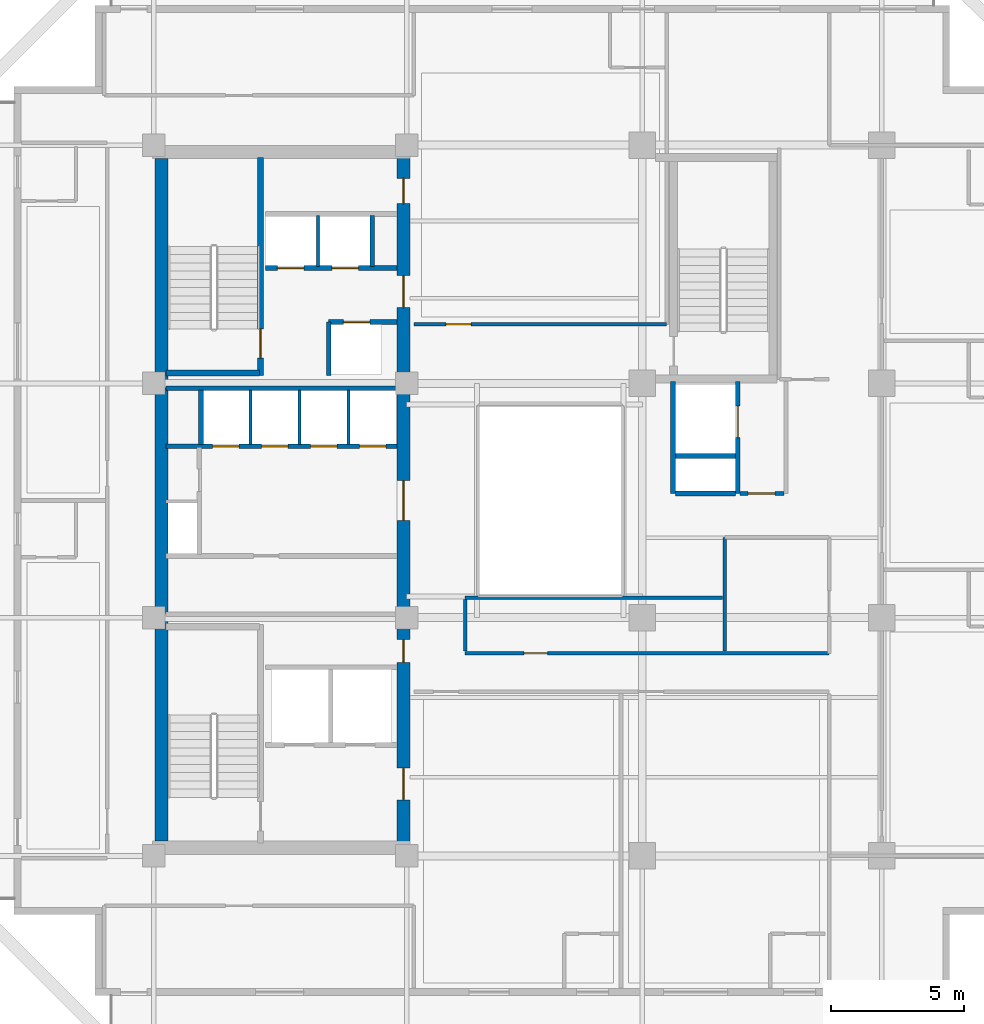
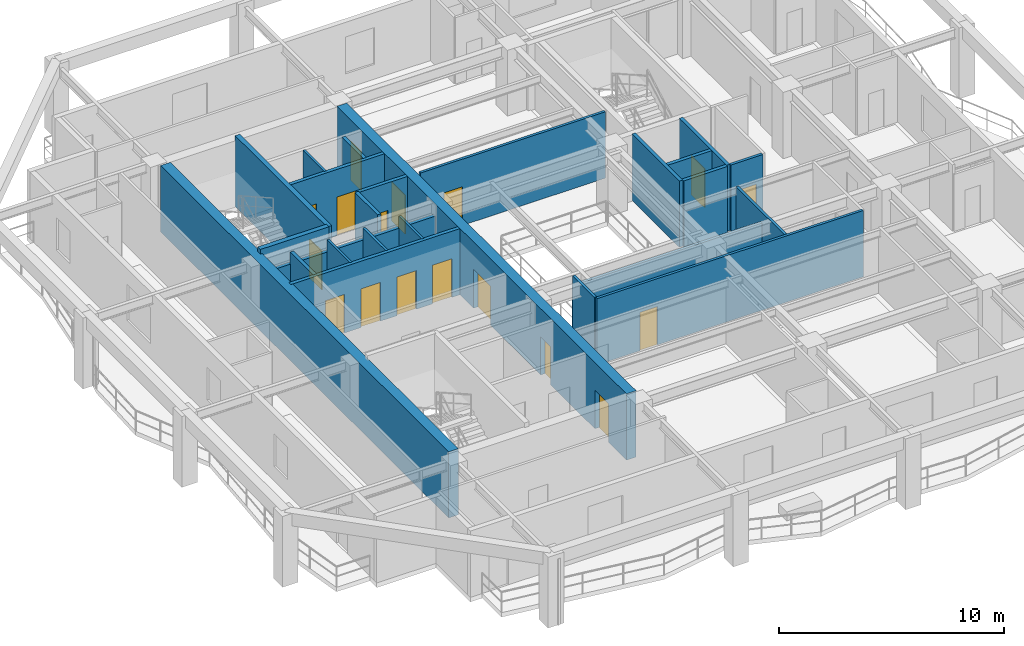
# One storey, part 4 of 10: 25 walls, 17 doors, 17 openings.
"""IFC4 building model written with IfcOpenShell, lengths in metres."""

from ifc_helpers import new_model, si_unit, direction, frame, frame_2d, origin, place, context, subcontext, project, spatial, rectangle, extrude, material, layer, layer_set, type_object, element, fill, save


model = new_model("IFC4")

# Units and contexts
model_context = context("Model", 3, precision=1e-05, world=origin(), true_north=direction((0.0, 1.0)))
body_context = subcontext(model_context, "Body", "Model", "MODEL_VIEW")
ifc_project = project(units=[si_unit("LENGTHUNIT", "METRE"), si_unit("AREAUNIT", "SQUARE_METRE"), si_unit("VOLUMEUNIT", "CUBIC_METRE"), si_unit("PLANEANGLEUNIT", "RADIAN"), si_unit("MASSUNIT", "GRAM", prefix="KILO")], contexts=[model_context])

# Site, building, storey
site_placement = place(None, origin())
site = spatial("IfcSite", under=ifc_project, at=site_placement, CompositionType="ELEMENT")
building_placement = place(site_placement, origin())
building = spatial("IfcBuilding", under=site, at=building_placement, Name="Kundavana Baori Tower", CompositionType="ELEMENT")
storey_placement = place(building_placement, frame((0.0, 0.0, 115.550048828125)))
storey = spatial("IfcBuildingStorey", under=building, at=storey_placement, Name="L27", CompositionType="ELEMENT", Elevation=115.550048828125)

# Wall, opening, door
ifc_material_1 = material(Name="Concrete C50/60", Category="concrete")
ifc_layer_1 = layer(ifc_material_1, 0.39990234375, Name="WL-CORE-400")
ifc_layer_set_1 = layer_set([ifc_layer_1], Name="Concrete C50/60")
wall_type_1 = type_object("IfcWallType", Name="WL-CORE-400", PredefinedType="SHEAR", material=ifc_layer_set_1)
wall_1_placement = place(storey_placement, frame((19.4599609375, 33.300048828125, 0.0), z_axis=(0.0, 0.0, 1.0), x_axis=(0.0, 1.0, 0.0)))
wall_1 = element("IfcWall", 1, at=wall_1_placement, inside=storey, type_object=wall_type_1, Name="WL-L27-ST2-E", PredefinedType="SHEAR", context=body_context, shape_type="SweptSolid", body=[
    extrude(rectangle(XDim=8.179931640625, YDim=0.239990234375, at=frame_2d((4.08984375, 0.0))), origin(), (0.0, 0.0, 1.0), 3.849853515625),
])
opening_1_placement = place(wall_1_placement, frame((0.64990234375, 0.0, 0.0)))
opening_1 = element("IfcOpeningElement", 2, at=opening_1_placement, cuts=wall_1, Name="Opening FD-110", PredefinedType="OPENING", context=body_context, shape_type="SweptSolid", body=[
    extrude(rectangle(XDim=1.10009765625, YDim=2.10009765625, at=frame_2d((0.550048828125, 1.050048828125))), frame((0.0, 0.1298828125, 0.0), z_axis=(0.0, -1.0, 0.0), x_axis=(1.0, 0.0, 0.0)), (0.0, 0.0, 1.0), 0.260009765625),
])
ifc_material_2 = material(Name="Galvanised Steel Fire-Rated Door Leaf", Category="steel")
door_type_1 = type_object("IfcDoorType", Name="DR-FD120-1100", OperationType="NOTDEFINED", PredefinedType="DOOR", material=ifc_material_2)
door_1_placement = place(opening_1_placement, origin())
door_1 = element("IfcDoor", 3, at=door_1_placement, inside=storey, type_object=door_type_1, Name="DR-L27-ST2", OperationType="SINGLE_SWING_RIGHT", OverallHeight=2.10009765625, OverallWidth=1.10009765625, PredefinedType="DOOR", context=body_context, shape_type="SweptSolid", body=[
    extrude(rectangle(XDim=1.10009765625, YDim=2.10009765625, at=frame_2d((0.550048828125, 1.050048828125))), frame((0.0, 0.02490234375, 0.0), z_axis=(0.0, -1.0, 0.0), x_axis=(1.0, 0.0, 0.0)), (0.0, 0.0, 1.0), 0.050048828125),
])
fill(opening_1, door_1)

# Walls
wall_2_placement = place(storey_placement, frame((15.89990234375, 33.389892578125, 0.0), z_axis=(0.0, 0.0, 1.0), x_axis=(1.0, 0.0, 0.0)))
element("IfcWall", 4, at=wall_2_placement, inside=storey, type_object=wall_type_1, Name="WL-L27-ST2-S", PredefinedType="SHEAR", context=body_context, shape_type="SweptSolid", body=[
    extrude(rectangle(XDim=3.52001953125, YDim=0.239990234375, at=frame_2d((1.760009765625, 0.0))), origin(), (0.0, 0.0, 1.0), 3.849853515625),
])
ifc_material_3 = material(Name="Concrete C50/60", Category="concrete")
ifc_layer_2 = layer(ifc_material_3, 0.5, Name="WL-CORE-500")
ifc_layer_set_2 = layer_set([ifc_layer_2], Name="Concrete C50/60")
wall_type_2 = type_object("IfcWallType", Name="WL-CORE-500", PredefinedType="SHEAR", material=ifc_layer_set_2)
wall_3_placement = place(storey_placement, frame((15.739990234375, 15.81005859375, 0.0), z_axis=(0.0, 0.0, 1.0), x_axis=(0.0, 1.0, 0.0)))
element("IfcWall", 5, at=wall_3_placement, inside=storey, type_object=wall_type_2, Name="L27 Offset Core West Shear Wall", PredefinedType="SHEAR", context=body_context, shape_type="SweptSolid", body=[
    extrude(rectangle(XDim=25.6298828125, YDim=0.5, at=frame_2d((12.81494140625, 0.0))), origin(), (0.0, 0.0, 1.0), 3.599853515625),
])

# Wall, openings, doors
wall_4_placement = place(storey_placement, frame((24.830078125, 15.739990234375, 0.0), z_axis=(0.0, 0.0, 1.0), x_axis=(0.0, 1.0, 0.0)))
wall_4 = element("IfcWall", 6, at=wall_4_placement, inside=storey, type_object=wall_type_2, Name="L27 Offset Core East Shear Wall", PredefinedType="SHEAR", context=body_context, shape_type="SweptSolid", body=[
    extrude(rectangle(XDim=25.760009765625, YDim=0.5, at=frame_2d((12.8798828125, 0.0))), origin(), (0.0, 0.0, 1.0), 3.599853515625),
])
opening_2_placement = place(wall_4_placement, frame((1.610107421875, 0.0, 0.0)))
opening_2 = element("IfcOpeningElement", 7, at=opening_2_placement, cuts=wall_4, Name="Opening FD-120", PredefinedType="OPENING", context=body_context, shape_type="SweptSolid", body=[
    extrude(rectangle(XDim=1.199951171875, YDim=2.10009765625, at=frame_2d((0.60009765625, 1.050048828125))), frame((0.0, 0.260009765625, 0.0), z_axis=(0.0, -1.0, 0.0), x_axis=(1.0, 0.0, 0.0)), (0.0, 0.0, 1.0), 0.52001953125),
])
opening_3_placement = place(wall_4_placement, frame((6.780029296875, 0.0, 0.0)))
opening_3 = element("IfcOpeningElement", 8, at=opening_3_placement, cuts=wall_4, Name="Opening FD-085", PredefinedType="OPENING", context=body_context, shape_type="SweptSolid", body=[
    extrude(rectangle(XDim=0.85009765625, YDim=2.06005859375, at=frame_2d((0.425048828125, 1.030029296875))), frame((0.0, 0.260009765625, 0.0), z_axis=(0.0, -1.0, 0.0), x_axis=(1.0, 0.0, 0.0)), (0.0, 0.0, 1.0), 0.52001953125),
])
opening_4_placement = place(wall_4_placement, frame((12.110107421875, 0.0, 0.0)))
opening_4 = element("IfcOpeningElement", 9, at=opening_4_placement, cuts=wall_4, Name="Opening FD-150", PredefinedType="OPENING", context=body_context, shape_type="SweptSolid", body=[
    extrude(rectangle(XDim=1.5, YDim=2.1201171875, at=frame_2d((0.75, 1.06005859375))), frame((0.0, 0.260009765625, 0.0), z_axis=(0.0, -1.0, 0.0), x_axis=(1.0, 0.0, 0.0)), (0.0, 0.0, 1.0), 0.52001953125),
])
opening_5_placement = place(wall_4_placement, frame((20.110107421875, 0.0, 0.0)))
opening_5 = element("IfcOpeningElement", 10, at=opening_5_placement, cuts=wall_4, Name="Opening FD-122", PredefinedType="OPENING", context=body_context, shape_type="SweptSolid", body=[
    extrude(rectangle(XDim=1.199951171875, YDim=2.1201171875, at=frame_2d((0.60009765625, 1.06005859375))), frame((0.0, 0.260009765625, 0.0), z_axis=(0.0, -1.0, 0.0), x_axis=(1.0, 0.0, 0.0)), (0.0, 0.0, 1.0), 0.52001953125),
])
opening_6_placement = place(wall_4_placement, frame((24.010009765625, 0.0, 0.0)))
opening_6 = element("IfcOpeningElement", 11, at=opening_6_placement, cuts=wall_4, Name="Opening FD-095", PredefinedType="OPENING", context=body_context, shape_type="SweptSolid", body=[
    extrude(rectangle(XDim=0.949951171875, YDim=2.10009765625, at=frame_2d((0.47509765625, 1.050048828125))), frame((0.0, 0.260009765625, 0.0), z_axis=(0.0, -1.0, 0.0), x_axis=(1.0, 0.0, 0.0)), (0.0, 0.0, 1.0), 0.52001953125),
])
ifc_material_4 = material(Name="Galvanised Steel Fire-Rated Door Leaf", Category="steel")
door_type_2 = type_object("IfcDoorType", Name="DR-FD120-1200", OperationType="NOTDEFINED", PredefinedType="DOOR", material=ifc_material_4)
door_2_placement = place(opening_2_placement, frame((1.199951171875, 0.0, 0.0), z_axis=(0.0, 0.0, 1.0), x_axis=(-1.0, 0.0, 0.0)))
door_2 = element("IfcDoor", 12, at=door_2_placement, inside=storey, type_object=door_type_2, Name="DR-L27-FFLOB-E", OperationType="SINGLE_SWING_RIGHT", OverallHeight=2.10009765625, OverallWidth=1.199951171875, PredefinedType="DOOR", context=body_context, shape_type="SweptSolid", body=[
    extrude(rectangle(XDim=1.199951171875, YDim=2.10009765625, at=frame_2d((0.60009765625, 1.050048828125))), frame((0.0, 0.02490234375, 0.0), z_axis=(0.0, -1.0, 0.0), x_axis=(1.0, 0.0, 0.0)), (0.0, 0.0, 1.0), 0.050048828125),
])
fill(opening_2, door_2)
ifc_material_5 = material(Name="Galvanised Steel Fire-Rated Door Leaf", Category="steel")
door_type_3 = type_object("IfcDoorType", Name="DR-FD60-1200", OperationType="NOTDEFINED", PredefinedType="DOOR", material=ifc_material_5)
door_3_placement = place(opening_5_placement, frame((1.199951171875, 0.0, 0.0), z_axis=(0.0, 0.0, 1.0), x_axis=(-1.0, 0.0, 0.0)))
door_3 = element("IfcDoor", 13, at=door_3_placement, inside=storey, type_object=door_type_3, Name="DR-L27-HRLOB-E", OperationType="SINGLE_SWING_RIGHT", OverallHeight=2.1201171875, OverallWidth=1.199951171875, PredefinedType="DOOR", context=body_context, shape_type="SweptSolid", body=[
    extrude(rectangle(XDim=1.199951171875, YDim=2.1201171875, at=frame_2d((0.60009765625, 1.06005859375))), frame((0.0, 0.02490234375, 0.0), z_axis=(0.0, -1.0, 0.0), x_axis=(1.0, 0.0, 0.0)), (0.0, 0.0, 1.0), 0.050048828125),
])
fill(opening_5, door_3)
ifc_material_6 = material(Name="Galvanised Steel Fire-Rated Door Leaf", Category="steel")
door_type_4 = type_object("IfcDoorType", Name="DR-FD60-1500", OperationType="NOTDEFINED", PredefinedType="DOOR", material=ifc_material_6)
door_4_placement = place(opening_4_placement, frame((1.5, 0.0, 0.0), z_axis=(0.0, 0.0, 1.0), x_axis=(-1.0, 0.0, 0.0)))
door_4 = element("IfcDoor", 14, at=door_4_placement, inside=storey, type_object=door_type_4, Name="DR-L27-LIFTHALL-E", OperationType="SINGLE_SWING_LEFT", OverallHeight=2.1201171875, OverallWidth=1.5, PredefinedType="DOOR", context=body_context, shape_type="SweptSolid", body=[
    extrude(rectangle(XDim=1.5, YDim=2.1201171875, at=frame_2d((0.75, 1.06005859375))), frame((0.0, 0.02490234375, 0.0), z_axis=(0.0, -1.0, 0.0), x_axis=(1.0, 0.0, 0.0)), (0.0, 0.0, 1.0), 0.050048828125),
])
fill(opening_4, door_4)
ifc_material_7 = material(Name="Galvanised Steel Fire-Rated Door Leaf", Category="steel")
door_type_5 = type_object("IfcDoorType", Name="DR-FD60-850", OperationType="NOTDEFINED", PredefinedType="DOOR", material=ifc_material_7)
door_5_placement = place(opening_3_placement, frame((0.85009765625, 0.0, 0.0), z_axis=(0.0, 0.0, 1.0), x_axis=(-1.0, 0.0, 0.0)))
door_5 = element("IfcDoor", 15, at=door_5_placement, inside=storey, type_object=door_type_5, Name="DR-L27-CSMK1", OperationType="SINGLE_SWING_LEFT", OverallHeight=2.06005859375, OverallWidth=0.85009765625, PredefinedType="DOOR", context=body_context, shape_type="SweptSolid", body=[
    extrude(rectangle(XDim=0.85009765625, YDim=2.06005859375, at=frame_2d((0.425048828125, 1.030029296875))), frame((0.0, 0.02490234375, 0.0), z_axis=(0.0, -1.0, 0.0), x_axis=(1.0, 0.0, 0.0)), (0.0, 0.0, 1.0), 0.050048828125),
])
fill(opening_3, door_5)
ifc_material_8 = material(Name="Engineered Teak Fire-Rated Timber Door Leaf", Category="wood")
door_type_6 = type_object("IfcDoorType", Name="DR-FD60-950", OperationType="NOTDEFINED", PredefinedType="DOOR", material=ifc_material_8)
door_6_placement = place(opening_6_placement, frame((0.949951171875, 0.0, 0.0), z_axis=(0.0, 0.0, 1.0), x_axis=(-1.0, 0.0, 0.0)))
door_6 = element("IfcDoor", 16, at=door_6_placement, inside=storey, type_object=door_type_6, Name="DR-L27-CSRV1", OperationType="SINGLE_SWING_LEFT", OverallHeight=2.10009765625, OverallWidth=0.949951171875, PredefinedType="DOOR", context=body_context, shape_type="SweptSolid", body=[
    extrude(rectangle(XDim=0.949951171875, YDim=2.10009765625, at=frame_2d((0.47509765625, 1.050048828125))), frame((0.0, 0.02490234375, 0.0), z_axis=(0.0, -1.0, 0.0), x_axis=(1.0, 0.0, 0.0)), (0.0, 0.0, 1.0), 0.050048828125),
])
fill(opening_6, door_6)

# Walls
ifc_material_9 = material(Name="Acoustic Gypsum Plasterboard on Galvanised Steel Studs", Category="steel")
ifc_layer_3 = layer(ifc_material_9, 0.1201171875, Name="WL-PART-120")
ifc_layer_set_3 = layer_set([ifc_layer_3], Name="Acoustic Gypsum Plasterboard on Galvanised Steel Studs")
wall_type_3 = type_object("IfcWallType", Name="WL-PART-120", PredefinedType="PARTITIONING", material=ifc_layer_set_3)
for number, where, z_axis, x_axis, name in (
    (17, (19.080078125, 30.699951171875, 0.0), (0.0, 0.0, 1.0), (0.0, 1.0, 0.0), "WL-L27-LPMID-D1"),
    (18, (20.919921875, 30.699951171875, 0.0), (0.0, 0.0, 1.0), (0.0, 1.0, 0.0), "WL-L27-LPMID-D2"),
    (19, (22.760009765625, 30.699951171875, 0.0), (0.0, 0.0, 1.0), (0.0, 1.0, 0.0), "WL-L27-LPMID-D3"),
):
    element("IfcWall", number, at=place(storey_placement, frame(where, z_axis=z_axis, x_axis=x_axis)), inside=storey, type_object=wall_type_3, Name=name, PredefinedType="PARTITIONING", context=body_context, shape_type="SweptSolid", body=[
        extrude(rectangle(XDim=2.050048828125, YDim=0.1201171875, at=frame_2d((1.02490234375, 0.0))), origin(), (0.0, 0.0, 1.0), 3.599853515625),
    ])
wall_5_placement = place(storey_placement, frame((21.6201171875, 37.39990234375, 0.0), z_axis=(0.0, 0.0, 1.0), x_axis=(0.0, 1.0, 0.0)))
element("IfcWall", 20, at=wall_5_placement, inside=storey, type_object=wall_type_3, Name="WL-L27-HR-DIV1", PredefinedType="PARTITIONING", context=body_context, shape_type="SweptSolid", body=[
    extrude(rectangle(XDim=1.900146484375, YDim=0.1201171875, at=frame_2d((0.9501953125, 0.0))), origin(), (0.0, 0.0, 1.0), 3.599853515625),
])

# Wall, opening, door
ifc_material_10 = material(Name="Acoustic Gypsum Plasterboard on Galvanised Steel Studs", Category="steel")
ifc_layer_4 = layer(ifc_material_10, 0.135009765625, Name="WL-PART-135")
ifc_layer_set_4 = layer_set([ifc_layer_4], Name="Acoustic Gypsum Plasterboard on Galvanised Steel Studs")
wall_type_4 = type_object("IfcWallType", Name="WL-PART-135", PredefinedType="PARTITIONING", material=ifc_layer_set_4)
wall_6_placement = place(storey_placement, frame((27.14990234375, 22.860107421875, 0.0), z_axis=(0.0, 0.0, 1.0), x_axis=(1.0, 0.0, 0.0)))
wall_6 = element("IfcWall", 21, at=wall_6_placement, inside=storey, type_object=wall_type_4, Name="WL-L27-HST", PredefinedType="PARTITIONING", context=body_context, shape_type="SweptSolid", body=[
    extrude(rectangle(XDim=13.670166015625, YDim=0.135009765625, at=frame_2d((6.8349609375, 0.0))), origin(), (0.0, 0.0, 1.0), 3.599853515625),
])
opening_7_placement = place(wall_6_placement, frame((2.199951171875, 0.0, 0.0)))
opening_7 = element("IfcOpeningElement", 22, at=opening_7_placement, cuts=wall_6, Name="Opening ID-090", PredefinedType="OPENING", context=body_context, shape_type="SweptSolid", body=[
    extrude(rectangle(XDim=0.89990234375, YDim=2.080078125, at=frame_2d((0.449951171875, 1.0400390625))), frame((0.0, 0.07763671875, 0.0), z_axis=(0.0, -1.0, 0.0), x_axis=(1.0, 0.0, 0.0)), (0.0, 0.0, 1.0), 0.155029296875),
])
ifc_material_11 = material(Name="Engineered Teak Solid-Core Timber Veneer", Category="wood")
door_type_7 = type_object("IfcDoorType", Name="DR-INT-900", OperationType="NOTDEFINED", PredefinedType="DOOR", material=ifc_material_11)
door_7_placement = place(opening_7_placement, origin())
door_7 = element("IfcDoor", 23, at=door_7_placement, inside=storey, type_object=door_type_7, Name="DR-L27-HPNT", OperationType="SINGLE_SWING_LEFT", OverallHeight=2.080078125, OverallWidth=0.89990234375, PredefinedType="DOOR", context=body_context, shape_type="SweptSolid", body=[
    extrude(rectangle(XDim=0.89990234375, YDim=2.080078125, at=frame_2d((0.449951171875, 1.0400390625))), frame((0.0, 0.02490234375, 0.0), z_axis=(0.0, -1.0, 0.0), x_axis=(1.0, 0.0, 0.0)), (0.0, 0.0, 1.0), 0.050048828125),
])
fill(opening_7, door_7)

wall_7_placement = place(storey_placement, frame((25.219970703125, 35.219970703125, 0.0), z_axis=(0.0, 0.0, 1.0), x_axis=(1.0, 0.0, 0.0)))
wall_7 = element("IfcWall", 24, at=wall_7_placement, inside=storey, type_object=wall_type_4, Name="WL-L27-HN", PredefinedType="PARTITIONING", context=body_context, shape_type="SweptSolid", body=[
    extrude(rectangle(XDim=9.5, YDim=0.135009765625, at=frame_2d((4.75, 0.0))), origin(), (0.0, 0.0, 1.0), 3.599853515625),
])
opening_8_placement = place(wall_7_placement, frame((1.199951171875, 0.0, 0.0)))
opening_8 = element("IfcOpeningElement", 25, at=opening_8_placement, cuts=wall_7, Name="Opening FD-095", PredefinedType="OPENING", context=body_context, shape_type="SweptSolid", body=[
    extrude(rectangle(XDim=0.949951171875, YDim=2.10009765625, at=frame_2d((0.47509765625, 1.050048828125))), frame((0.0, 0.07763671875, 0.0), z_axis=(0.0, -1.0, 0.0), x_axis=(1.0, 0.0, 0.0)), (0.0, 0.0, 1.0), 0.155029296875),
])
door_8_placement = place(opening_8_placement, origin())
door_8 = element("IfcDoor", 26, at=door_8_placement, inside=storey, type_object=door_type_6, Name="DR-L27-HK-N1-ENT", OperationType="SINGLE_SWING_RIGHT", OverallHeight=2.10009765625, OverallWidth=0.949951171875, PredefinedType="DOOR", context=body_context, shape_type="SweptSolid", body=[
    extrude(rectangle(XDim=0.949951171875, YDim=2.10009765625, at=frame_2d((0.47509765625, 1.050048828125))), frame((0.0, 0.02490234375, 0.0), z_axis=(0.0, -1.0, 0.0), x_axis=(1.0, 0.0, 0.0)), (0.0, 0.0, 1.0), 0.050048828125),
])
fill(opening_8, door_8)

# Walls
wall_8_placement = place(storey_placement, frame((36.89990234375, 22.93994140625, 0.0), z_axis=(0.0, 0.0, 1.0), x_axis=(0.0, 1.0, 0.0)))
element("IfcWall", 27, at=wall_8_placement, inside=storey, type_object=wall_type_4, Name="WL-L27-HKD", PredefinedType="PARTITIONING", context=body_context, shape_type="SweptSolid", body=[
    extrude(rectangle(XDim=4.280029296875, YDim=0.135009765625, at=frame_2d((2.14013671875, 0.0))), origin(), (0.0, 0.0, 1.0), 3.599853515625),
])
wall_9_placement = place(storey_placement, frame((27.14990234375, 24.949951171875, 0.0), z_axis=(0.0, 0.0, 1.0), x_axis=(1.0, 0.0, 0.0)))
element("IfcWall", 28, at=wall_9_placement, inside=storey, type_object=wall_type_4, Name="WL-L27-HPN1", PredefinedType="PARTITIONING", context=body_context, shape_type="SweptSolid", body=[
    extrude(rectangle(XDim=9.670166015625, YDim=0.135009765625, at=frame_2d((4.8349609375, 0.0))), origin(), (0.0, 0.0, 1.0), 3.050048828125),
])
wall_10_placement = place(storey_placement, frame((27.14990234375, 22.93994140625, 0.0), z_axis=(0.0, 0.0, 1.0), x_axis=(0.0, 1.0, 0.0)))
element("IfcWall", 29, at=wall_10_placement, inside=storey, type_object=wall_type_4, Name="WL-L27-HPN2", PredefinedType="PARTITIONING", context=body_context, shape_type="SweptSolid", body=[
    extrude(rectangle(XDim=1.93994140625, YDim=0.135009765625, at=frame_2d((0.969970703125, 0.0))), origin(), (0.0, 0.0, 1.0), 3.599853515625),
])

# Wall, opening, door
ifc_material_12 = material(Name="Fire-Rated Gypsum Drywall on Galvanised Steel Studs", Category="steel")
ifc_layer_5 = layer(ifc_material_12, 0.14990234375, Name="WL-PART-150")
ifc_layer_set_5 = layer_set([ifc_layer_5], Name="Fire-Rated Gypsum Drywall on Galvanised Steel Studs")
wall_type_5 = type_object("IfcWallType", Name="WL-PART-150", PredefinedType="PARTITIONING", material=ifc_layer_set_5)
wall_11_placement = place(storey_placement, frame((37.47998046875, 28.860107421875, 0.0), z_axis=(0.0, 0.0, 1.0), x_axis=(1.0, 0.0, 0.0)))
wall_11 = element("IfcWall", 30, at=wall_11_placement, inside=storey, type_object=wall_type_5, Name="WL-L27-SVLOB-S", PredefinedType="PARTITIONING", context=body_context, shape_type="SweptSolid", body=[
    extrude(rectangle(XDim=1.64013671875, YDim=0.14990234375, at=frame_2d((0.820068359375, 0.0))), origin(), (0.0, 0.0, 1.0), 3.599853515625),
])
opening_9_placement = place(wall_11_placement, frame((0.300048828125, 0.0, 0.0)))
opening_9 = element("IfcOpeningElement", 31, at=opening_9_placement, cuts=wall_11, Name="Opening FD-100", PredefinedType="OPENING", context=body_context, shape_type="SweptSolid", body=[
    extrude(rectangle(XDim=1.0, YDim=2.10009765625, at=frame_2d((0.5, 1.050048828125))), frame((0.0, 0.0849609375, 0.0), z_axis=(0.0, -1.0, 0.0), x_axis=(1.0, 0.0, 0.0)), (0.0, 0.0, 1.0), 0.169921875),
])
ifc_material_13 = material(Name="Engineered Teak Fire-Rated Timber Door Leaf", Category="wood")
door_type_8 = type_object("IfcDoorType", Name="DR-FD60-1000", OperationType="NOTDEFINED", PredefinedType="DOOR", material=ifc_material_13)
door_9_placement = place(opening_9_placement, origin())
door_9 = element("IfcDoor", 32, at=door_9_placement, inside=storey, type_object=door_type_8, Name="DR-L27-SVLOB-OUT", OperationType="SINGLE_SWING_LEFT", OverallHeight=2.10009765625, OverallWidth=1.0, PredefinedType="DOOR", context=body_context, shape_type="SweptSolid", body=[
    extrude(rectangle(XDim=1.0, YDim=2.10009765625, at=frame_2d((0.5, 1.050048828125))), frame((0.0, 0.02490234375, 0.0), z_axis=(0.0, -1.0, 0.0), x_axis=(1.0, 0.0, 0.0)), (0.0, 0.0, 1.0), 0.050048828125),
])
fill(opening_9, door_9)

# Wall, openings, doors
ifc_material_14 = material(Name="Autoclaved Aerated Concrete Blockwork Masonry", Category="masonry")
ifc_layer_6 = layer(ifc_material_14, 0.179931640625, Name="WL-SHAFT-180")
ifc_layer_set_6 = layer_set([ifc_layer_6], Name="Autoclaved Aerated Concrete Blockwork Masonry")
wall_type_6 = type_object("IfcWallType", Name="WL-SHAFT-180", PredefinedType="SOLIDWALL", material=ifc_layer_set_6)
wall_12_placement = place(storey_placement, frame((15.89990234375, 30.639892578125, 0.0), z_axis=(0.0, 0.0, 1.0), x_axis=(1.0, 0.0, 0.0)))
wall_12 = element("IfcWall", 33, at=wall_12_placement, inside=storey, type_object=wall_type_6, Name="WL-L27-LPMID-S", PredefinedType="SOLIDWALL", context=body_context, shape_type="SweptSolid", body=[
    extrude(rectangle(XDim=8.68017578125, YDim=0.179931640625, at=frame_2d((4.340087890625, 0.0))), origin(), (0.0, 0.0, 1.0), 3.599853515625),
])
opening_10_placement = place(wall_12_placement, frame((1.760009765625, 0.0, 0.0)))
opening_10 = element("IfcOpeningElement", 34, at=opening_10_placement, cuts=wall_12, Name="Opening LD-100", PredefinedType="OPENING", context=body_context, shape_type="SweptSolid", body=[
    extrude(rectangle(XDim=1.0, YDim=2.10009765625, at=frame_2d((0.5, 1.050048828125))), frame((0.0, 0.10009765625, 0.0), z_axis=(0.0, -1.0, 0.0), x_axis=(1.0, 0.0, 0.0)), (0.0, 0.0, 1.0), 0.199951171875),
])
opening_11_placement = place(wall_12_placement, frame((3.60009765625, 0.0, 0.0)))
opening_11 = element("IfcOpeningElement", 35, at=opening_11_placement, cuts=wall_12, Name="Opening LD-100", PredefinedType="OPENING", context=body_context, shape_type="SweptSolid", body=[
    extrude(rectangle(XDim=1.0, YDim=2.10009765625, at=frame_2d((0.5, 1.050048828125))), frame((0.0, 0.10009765625, 0.0), z_axis=(0.0, -1.0, 0.0), x_axis=(1.0, 0.0, 0.0)), (0.0, 0.0, 1.0), 0.199951171875),
])
opening_12_placement = place(wall_12_placement, frame((5.43994140625, 0.0, 0.0)))
opening_12 = element("IfcOpeningElement", 36, at=opening_12_placement, cuts=wall_12, Name="Opening LD-100", PredefinedType="OPENING", context=body_context, shape_type="SweptSolid", body=[
    extrude(rectangle(XDim=1.0, YDim=2.10009765625, at=frame_2d((0.5, 1.050048828125))), frame((0.0, 0.10009765625, 0.0), z_axis=(0.0, -1.0, 0.0), x_axis=(1.0, 0.0, 0.0)), (0.0, 0.0, 1.0), 0.199951171875),
])
opening_13_placement = place(wall_12_placement, frame((7.280029296875, 0.0, 0.0)))
opening_13 = element("IfcOpeningElement", 37, at=opening_13_placement, cuts=wall_12, Name="Opening LD-100", PredefinedType="OPENING", context=body_context, shape_type="SweptSolid", body=[
    extrude(rectangle(XDim=1.0, YDim=2.10009765625, at=frame_2d((0.5, 1.050048828125))), frame((0.0, 0.10009765625, 0.0), z_axis=(0.0, -1.0, 0.0), x_axis=(1.0, 0.0, 0.0)), (0.0, 0.0, 1.0), 0.199951171875),
])
ifc_material_15 = material(Name="Galvanised Steel Fire-Rated Door Leaf", Category="steel")
door_type_9 = type_object("IfcDoorType", Name="DR-SLIDE-LD1000", OperationType="NOTDEFINED", PredefinedType="DOOR", material=ifc_material_15)
door_10_placement = place(opening_10_placement, frame((1.0, 0.0, 0.0), z_axis=(0.0, 0.0, 1.0), x_axis=(-1.0, 0.0, 0.0)))
door_10 = element("IfcDoor", 38, at=door_10_placement, inside=storey, type_object=door_type_9, Name="DR-L27-LD-LP-05", OperationType="DOUBLE_DOOR_SLIDING", OverallHeight=2.10009765625, OverallWidth=1.0, PredefinedType="DOOR", context=body_context, shape_type="SweptSolid", body=[
    extrude(rectangle(XDim=1.0, YDim=2.10009765625, at=frame_2d((0.5, 1.050048828125))), frame((0.0, 0.02490234375, 0.0), z_axis=(0.0, -1.0, 0.0), x_axis=(1.0, 0.0, 0.0)), (0.0, 0.0, 1.0), 0.050048828125),
])
fill(opening_10, door_10)
door_11_placement = place(opening_11_placement, frame((1.0, 0.0, 0.0), z_axis=(0.0, 0.0, 1.0), x_axis=(-1.0, 0.0, 0.0)))
door_11 = element("IfcDoor", 39, at=door_11_placement, inside=storey, type_object=door_type_9, Name="DR-L27-LD-LP-06", OperationType="DOUBLE_DOOR_SLIDING", OverallHeight=2.10009765625, OverallWidth=1.0, PredefinedType="DOOR", context=body_context, shape_type="SweptSolid", body=[
    extrude(rectangle(XDim=1.0, YDim=2.10009765625, at=frame_2d((0.5, 1.050048828125))), frame((0.0, 0.02490234375, 0.0), z_axis=(0.0, -1.0, 0.0), x_axis=(1.0, 0.0, 0.0)), (0.0, 0.0, 1.0), 0.050048828125),
])
fill(opening_11, door_11)
door_12_placement = place(opening_12_placement, frame((1.0, 0.0, 0.0), z_axis=(0.0, 0.0, 1.0), x_axis=(-1.0, 0.0, 0.0)))
door_12 = element("IfcDoor", 40, at=door_12_placement, inside=storey, type_object=door_type_9, Name="DR-L27-LD-LP-07", OperationType="DOUBLE_DOOR_SLIDING", OverallHeight=2.10009765625, OverallWidth=1.0, PredefinedType="DOOR", context=body_context, shape_type="SweptSolid", body=[
    extrude(rectangle(XDim=1.0, YDim=2.10009765625, at=frame_2d((0.5, 1.050048828125))), frame((0.0, 0.02490234375, 0.0), z_axis=(0.0, -1.0, 0.0), x_axis=(1.0, 0.0, 0.0)), (0.0, 0.0, 1.0), 0.050048828125),
])
fill(opening_12, door_12)
door_13_placement = place(opening_13_placement, frame((1.0, 0.0, 0.0), z_axis=(0.0, 0.0, 1.0), x_axis=(-1.0, 0.0, 0.0)))
door_13 = element("IfcDoor", 41, at=door_13_placement, inside=storey, type_object=door_type_9, Name="DR-L27-LD-LP-08", OperationType="DOUBLE_DOOR_SLIDING", OverallHeight=2.10009765625, OverallWidth=1.0, PredefinedType="DOOR", context=body_context, shape_type="SweptSolid", body=[
    extrude(rectangle(XDim=1.0, YDim=2.10009765625, at=frame_2d((0.5, 1.050048828125))), frame((0.0, 0.02490234375, 0.0), z_axis=(0.0, -1.0, 0.0), x_axis=(1.0, 0.0, 0.0)), (0.0, 0.0, 1.0), 0.050048828125),
])
fill(opening_13, door_13)

# Walls
wall_13_placement = place(storey_placement, frame((15.89990234375, 32.820068359375, 0.0), z_axis=(0.0, 0.0, 1.0), x_axis=(1.0, 0.0, 0.0)))
element("IfcWall", 42, at=wall_13_placement, inside=storey, type_object=wall_type_6, Name="WL-L27-LPMID-N", PredefinedType="SOLIDWALL", context=body_context, shape_type="SweptSolid", body=[
    extrude(rectangle(XDim=8.68017578125, YDim=0.179931640625, at=frame_2d((4.340087890625, 0.0))), origin(), (0.0, 0.0, 1.0), 2.949951171875),
])
wall_14_placement = place(storey_placement, frame((17.219970703125, 30.699951171875, 0.0), z_axis=(0.0, 0.0, 1.0), x_axis=(0.0, 1.0, 0.0)))
element("IfcWall", 43, at=wall_14_placement, inside=storey, type_object=wall_type_6, Name="WL-L27-LPMID-W", PredefinedType="SOLIDWALL", context=body_context, shape_type="SweptSolid", body=[
    extrude(rectangle(XDim=2.050048828125, YDim=0.179931640625, at=frame_2d((1.02490234375, 0.0))), origin(), (0.0, 0.0, 1.0), 3.599853515625),
])

# Wall, opening, door
wall_15_placement = place(storey_placement, frame((22.02001953125, 35.31005859375, 0.0), z_axis=(0.0, 0.0, 1.0), x_axis=(1.0, 0.0, 0.0)))
wall_15 = element("IfcWall", 44, at=wall_15_placement, inside=storey, type_object=wall_type_6, Name="WL-L27-LP11-N", PredefinedType="SOLIDWALL", context=body_context, shape_type="SweptSolid", body=[
    extrude(rectangle(XDim=2.56005859375, YDim=0.179931640625, at=frame_2d((1.280029296875, 0.0))), origin(), (0.0, 0.0, 1.0), 3.599853515625),
])
opening_14_placement = place(wall_15_placement, frame((0.550048828125, 0.0, 0.0)))
opening_14 = element("IfcOpeningElement", 45, at=opening_14_placement, cuts=wall_15, Name="Opening LD-100", PredefinedType="OPENING", context=body_context, shape_type="SweptSolid", body=[
    extrude(rectangle(XDim=1.0, YDim=2.10009765625, at=frame_2d((0.5, 1.050048828125))), frame((0.0, 0.10009765625, 0.0), z_axis=(0.0, -1.0, 0.0), x_axis=(1.0, 0.0, 0.0)), (0.0, 0.0, 1.0), 0.199951171875),
])
door_14_placement = place(opening_14_placement, origin())
door_14 = element("IfcDoor", 46, at=door_14_placement, inside=storey, type_object=door_type_9, Name="DR-L27-LD-LP11", OperationType="DOUBLE_DOOR_SLIDING", OverallHeight=2.10009765625, OverallWidth=1.0, PredefinedType="DOOR", context=body_context, shape_type="SweptSolid", body=[
    extrude(rectangle(XDim=1.0, YDim=2.10009765625, at=frame_2d((0.5, 1.050048828125))), frame((0.0, 0.02490234375, 0.0), z_axis=(0.0, -1.0, 0.0), x_axis=(1.0, 0.0, 0.0)), (0.0, 0.0, 1.0), 0.050048828125),
])
fill(opening_14, door_14)

# Wall
wall_16_placement = place(storey_placement, frame((22.02001953125, 33.300048828125, 0.0), z_axis=(0.0, 0.0, 1.0), x_axis=(0.0, 1.0, 0.0)))
element("IfcWall", 47, at=wall_16_placement, inside=storey, type_object=wall_type_6, Name="WL-L27-LP11-W", PredefinedType="SOLIDWALL", context=body_context, shape_type="SweptSolid", body=[
    extrude(rectangle(XDim=2.010009765625, YDim=0.179931640625, at=frame_2d((1.0048828125, 0.0))), origin(), (0.0, 0.0, 1.0), 3.599853515625),
])

# Wall, openings, doors
wall_17_placement = place(storey_placement, frame((19.639892578125, 37.340087890625, 0.0), z_axis=(0.0, 0.0, 1.0), x_axis=(1.0, 0.0, 0.0)))
wall_17 = element("IfcWall", 48, at=wall_17_placement, inside=storey, type_object=wall_type_6, Name="WL-L27-HRLOB-N", PredefinedType="SOLIDWALL", context=body_context, shape_type="SweptSolid", body=[
    extrude(rectangle(XDim=4.940185546875, YDim=0.179931640625, at=frame_2d((2.47021484375, 0.0))), origin(), (0.0, 0.0, 1.0), 3.599853515625),
])
opening_15_placement = place(wall_17_placement, frame((0.449951171875, 0.0, 0.0)))
opening_15 = element("IfcOpeningElement", 49, at=opening_15_placement, cuts=wall_17, Name="Opening LD-100", PredefinedType="OPENING", context=body_context, shape_type="SweptSolid", body=[
    extrude(rectangle(XDim=1.0, YDim=2.10009765625, at=frame_2d((0.5, 1.050048828125))), frame((0.0, 0.10009765625, 0.0), z_axis=(0.0, -1.0, 0.0), x_axis=(1.0, 0.0, 0.0)), (0.0, 0.0, 1.0), 0.199951171875),
])
opening_16_placement = place(wall_17_placement, frame((2.5, 0.0, 0.0)))
opening_16 = element("IfcOpeningElement", 50, at=opening_16_placement, cuts=wall_17, Name="Opening LD-100", PredefinedType="OPENING", context=body_context, shape_type="SweptSolid", body=[
    extrude(rectangle(XDim=1.0, YDim=2.10009765625, at=frame_2d((0.5, 1.050048828125))), frame((0.0, 0.10009765625, 0.0), z_axis=(0.0, -1.0, 0.0), x_axis=(1.0, 0.0, 0.0)), (0.0, 0.0, 1.0), 0.199951171875),
])
door_15_placement = place(opening_15_placement, frame((1.0, 0.0, 0.0), z_axis=(0.0, 0.0, 1.0), x_axis=(-1.0, 0.0, 0.0)))
door_15 = element("IfcDoor", 51, at=door_15_placement, inside=storey, type_object=door_type_9, Name="DR-L27-LD-LP09", OperationType="DOUBLE_DOOR_SLIDING", OverallHeight=2.10009765625, OverallWidth=1.0, PredefinedType="DOOR", context=body_context, shape_type="SweptSolid", body=[
    extrude(rectangle(XDim=1.0, YDim=2.10009765625, at=frame_2d((0.5, 1.050048828125))), frame((0.0, 0.02490234375, 0.0), z_axis=(0.0, -1.0, 0.0), x_axis=(1.0, 0.0, 0.0)), (0.0, 0.0, 1.0), 0.050048828125),
])
fill(opening_15, door_15)
door_16_placement = place(opening_16_placement, frame((1.0, 0.0, 0.0), z_axis=(0.0, 0.0, 1.0), x_axis=(-1.0, 0.0, 0.0)))
door_16 = element("IfcDoor", 52, at=door_16_placement, inside=storey, type_object=door_type_9, Name="DR-L27-LD-LP10", OperationType="DOUBLE_DOOR_SLIDING", OverallHeight=2.10009765625, OverallWidth=1.0, PredefinedType="DOOR", context=body_context, shape_type="SweptSolid", body=[
    extrude(rectangle(XDim=1.0, YDim=2.10009765625, at=frame_2d((0.5, 1.050048828125))), frame((0.0, 0.02490234375, 0.0), z_axis=(0.0, -1.0, 0.0), x_axis=(1.0, 0.0, 0.0)), (0.0, 0.0, 1.0), 0.050048828125),
])
fill(opening_16, door_16)

# Walls
wall_18_placement = place(storey_placement, frame((23.659912109375, 37.39990234375, 0.0), z_axis=(0.0, 0.0, 1.0), x_axis=(0.0, 1.0, 0.0)))
element("IfcWall", 53, at=wall_18_placement, inside=storey, type_object=wall_type_6, Name="WL-L27-HR-DIV2", PredefinedType="SOLIDWALL", context=body_context, shape_type="SweptSolid", body=[
    extrude(rectangle(XDim=1.900146484375, YDim=0.179931640625, at=frame_2d((0.9501953125, 0.0))), origin(), (0.0, 0.0, 1.0), 3.599853515625),
])
wall_19_placement = place(storey_placement, frame((34.9599609375, 28.860107421875, 0.0), z_axis=(0.0, 0.0, 1.0), x_axis=(0.0, 1.0, 0.0)))
element("IfcWall", 54, at=wall_19_placement, inside=storey, type_object=wall_type_6, Name="WL-L27-SVL-W", PredefinedType="SOLIDWALL", context=body_context, shape_type="SweptSolid", body=[
    extrude(rectangle(XDim=4.219970703125, YDim=0.179931640625, at=frame_2d((2.10986328125, 0.0))), origin(), (0.0, 0.0, 1.0), 3.599853515625),
])

# Wall, opening, door
wall_20_placement = place(storey_placement, frame((37.389892578125, 28.860107421875, 0.0), z_axis=(0.0, 0.0, 1.0), x_axis=(0.0, 1.0, 0.0)))
wall_20 = element("IfcWall", 55, at=wall_20_placement, inside=storey, type_object=wall_type_6, Name="WL-L27-SVL-E", PredefinedType="SOLIDWALL", context=body_context, shape_type="SweptSolid", body=[
    extrude(rectangle(XDim=4.219970703125, YDim=0.179931640625, at=frame_2d((2.10986328125, 0.0))), origin(), (0.0, 0.0, 1.0), 3.599853515625),
])
opening_17_placement = place(wall_20_placement, frame((2.10009765625, 0.0, 0.0)))
opening_17 = element("IfcOpeningElement", 56, at=opening_17_placement, cuts=wall_20, Name="Opening LD-120", PredefinedType="OPENING", context=body_context, shape_type="SweptSolid", body=[
    extrude(rectangle(XDim=1.199951171875, YDim=2.1201171875, at=frame_2d((0.60009765625, 1.06005859375))), frame((0.0, 0.10009765625, 0.0), z_axis=(0.0, -1.0, 0.0), x_axis=(1.0, 0.0, 0.0)), (0.0, 0.0, 1.0), 0.199951171875),
])
ifc_material_16 = material(Name="Galvanised Steel Fire-Rated Door Leaf", Category="steel")
door_type_10 = type_object("IfcDoorType", Name="DR-SLIDE-LD1200", OperationType="NOTDEFINED", PredefinedType="DOOR", material=ifc_material_16)
door_17_placement = place(opening_17_placement, frame((1.199951171875, 0.0, 0.0), z_axis=(0.0, 0.0, 1.0), x_axis=(-1.0, 0.0, 0.0)))
door_17 = element("IfcDoor", 57, at=door_17_placement, inside=storey, type_object=door_type_10, Name="DR-L27-LD-SVL1", OperationType="DOUBLE_DOOR_SLIDING", OverallHeight=2.1201171875, OverallWidth=1.199951171875, PredefinedType="DOOR", context=body_context, shape_type="SweptSolid", body=[
    extrude(rectangle(XDim=1.199951171875, YDim=2.1201171875, at=frame_2d((0.60009765625, 1.06005859375))), frame((0.0, 0.02490234375, 0.0), z_axis=(0.0, -1.0, 0.0), x_axis=(1.0, 0.0, 0.0)), (0.0, 0.0, 1.0), 0.050048828125),
])
fill(opening_17, door_17)

# Walls
for number, where, z_axis, x_axis, name in (
    (58, (35.050048828125, 28.860107421875, 0.0), (0.0, 0.0, 1.0), (1.0, 0.0, 0.0), "WL-L27-SVL-S"),
    (59, (35.050048828125, 30.27001953125, 0.0), (0.0, 0.0, 1.0), (1.0, 0.0, 0.0), "WL-L27-SVL-M"),
):
    element("IfcWall", number, at=place(storey_placement, frame(where, z_axis=z_axis, x_axis=x_axis)), inside=storey, type_object=wall_type_6, Name=name, PredefinedType="SOLIDWALL", context=body_context, shape_type="SweptSolid", body=[
        extrude(rectangle(XDim=2.25, YDim=0.179931640625, at=frame_2d((1.125, 0.0))), origin(), (0.0, 0.0, 1.0), 3.599853515625),
    ])

save(model, "model.ifc")
